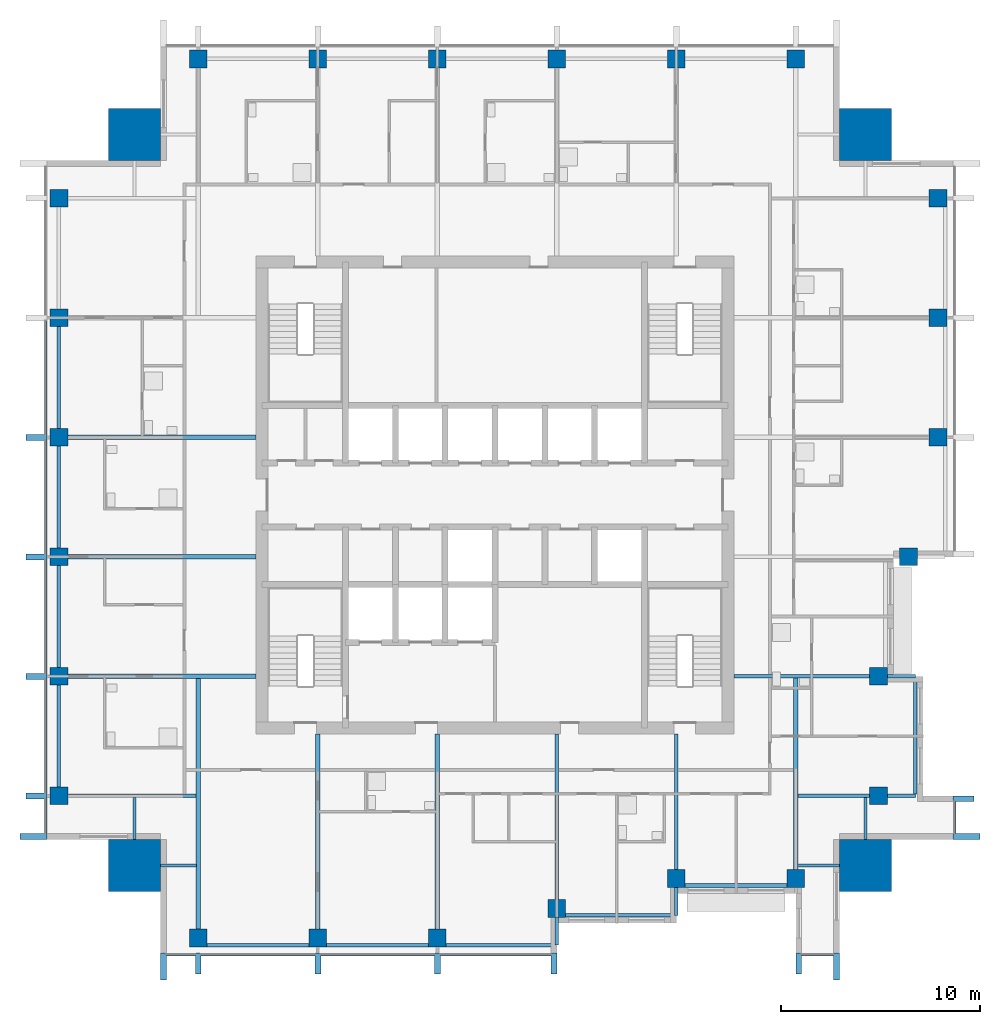
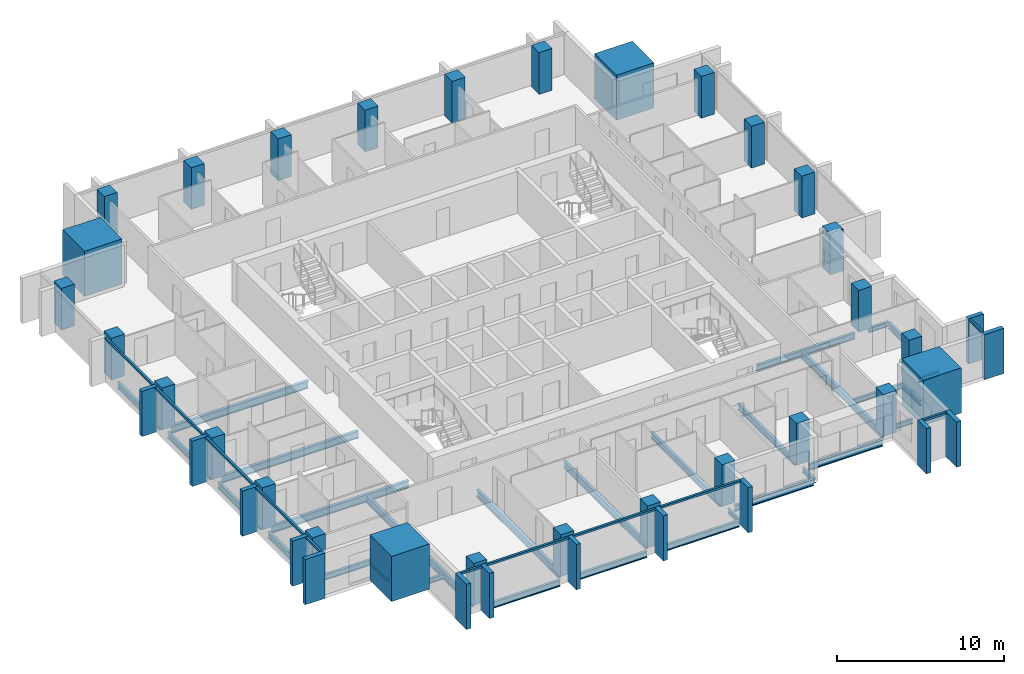
# One storey, part 1 of 10: 30 beams, 28 columns, 25 members, 4 elements without a shape of their own.
"""IFC4 building model written with IfcOpenShell, lengths in metres."""

from ifc_helpers import new_model, si_unit, direction, frame, origin, origin_2d, place, context, subcontext, project, spatial, rectangle, i_section, extrude, material, material_profile, profile_set, type_object, element, aggregate, save


model = new_model("IFC4")

# Units and contexts
model_context = context("Model", 3, precision=1e-05, world=origin(), true_north=direction((0.0, 1.0)))
body_context = subcontext(model_context, "Body", "Model", "MODEL_VIEW")
ifc_project = project(units=[si_unit("LENGTHUNIT", "METRE"), si_unit("AREAUNIT", "SQUARE_METRE"), si_unit("VOLUMEUNIT", "CUBIC_METRE"), si_unit("PLANEANGLEUNIT", "RADIAN"), si_unit("MASSUNIT", "GRAM", prefix="KILO")], contexts=[model_context])

# Site, building, storey
site_placement = place(None, origin())
site = spatial("IfcSite", under=ifc_project, at=site_placement, CompositionType="ELEMENT")
building_placement = place(site_placement, origin())
building = spatial("IfcBuilding", under=site, at=building_placement, Name="Amberfall Residences", CompositionType="ELEMENT")
storey_placement = place(building_placement, frame((0.0, 0.0, 200.199951171875)))
storey = spatial("IfcBuildingStorey", under=building, at=storey_placement, Name="L53", CompositionType="ELEMENT", Elevation=200.199951171875)

# Columns
ifc_material_1 = material(Name="Concrete C55", Category="concrete")
ifc_material_profile_1 = material_profile(ifc_material_1, rectangle(XDim=0.89990234375, YDim=0.89990234375, at=origin_2d()), Name="Column 900 x 900 C55")
ifc_profile_set_1 = profile_set([ifc_material_profile_1], Name="Concrete C55")
column_type_1 = type_object("IfcColumnType", Name="Column 900 x 900 C55", PredefinedType="COLUMN", material=ifc_profile_set_1)
for number, where, z_axis, x_axis, name in (
    (1, (59.60009765625, 23.25, 0.0), (0.0, 0.0, 1.0), (1.0, 0.0, 0.0), "Column C4 L53 S1"),
    (2, (65.60009765625, 23.25, 0.0), (0.0, 0.0, 1.0), (1.0, 0.0, 0.0), "Column C4 L53 S2"),
    (3, (71.60009765625, 23.25, 0.0), (0.0, 0.0, 1.0), (1.0, 0.0, 0.0), "Column C4 L53 S3"),
    (4, (77.60009765625, 24.75, 0.0), (0.0, 0.0, 1.0), (1.0, 0.0, 0.0), "Column C4 L53 S4"),
    (5, (83.60009765625, 26.25, 0.0), (0.0, 0.0, 1.0), (1.0, 0.0, 0.0), "Column C4 L53 S5"),
    (6, (89.60009765625, 26.25, 0.0), (0.0, 0.0, 1.0), (1.0, 0.0, 0.0), "Column C4 L53 S6"),
    (7, (93.75, 30.39990234375, 0.0), (0.0, 0.0, 1.0), (1.0, 0.0, 0.0), "Column C4 L53 E1"),
    (8, (93.75, 36.39990234375, 0.0), (0.0, 0.0, 1.0), (1.0, 0.0, 0.0), "Column C4 L53 E2"),
    (9, (95.25, 42.39990234375, 0.0), (0.0, 0.0, 1.0), (1.0, 0.0, 0.0), "Column C4 L53 E3"),
    (10, (96.75, 48.39990234375, 0.0), (0.0, 0.0, 1.0), (1.0, 0.0, 0.0), "Column C4 L53 E4"),
    (11, (96.75, 54.39990234375, 0.0), (0.0, 0.0, 1.0), (1.0, 0.0, 0.0), "Column C4 L53 E5"),
    (12, (96.75, 60.39990234375, 0.0), (0.0, 0.0, 1.0), (1.0, 0.0, 0.0), "Column C4 L53 E6"),
    (13, (59.60009765625, 67.39990234375, 0.0), (0.0, 0.0, 1.0), (1.0, 0.0, 0.0), "Column C4 L53 N1"),
    (14, (65.60009765625, 67.39990234375, 0.0), (0.0, 0.0, 1.0), (1.0, 0.0, 0.0), "Column C4 L53 N2"),
    (15, (71.60009765625, 67.39990234375, 0.0), (0.0, 0.0, 1.0), (1.0, 0.0, 0.0), "Column C4 L53 N3"),
    (16, (77.60009765625, 67.39990234375, 0.0), (0.0, 0.0, 1.0), (1.0, 0.0, 0.0), "Column C4 L53 N4"),
    (17, (83.60009765625, 67.39990234375, 0.0), (0.0, 0.0, 1.0), (1.0, 0.0, 0.0), "Column C4 L53 N5"),
    (18, (89.60009765625, 67.39990234375, 0.0), (0.0, 0.0, 1.0), (1.0, 0.0, 0.0), "Column C4 L53 N6"),
    (19, (52.60009765625, 30.39990234375, 0.0), (0.0, 0.0, 1.0), (1.0, 0.0, 0.0), "Column C4 L53 W1"),
    (20, (52.60009765625, 36.39990234375, 0.0), (0.0, 0.0, 1.0), (1.0, 0.0, 0.0), "Column C4 L53 W2"),
    (21, (52.60009765625, 42.39990234375, 0.0), (0.0, 0.0, 1.0), (1.0, 0.0, 0.0), "Column C4 L53 W3"),
    (22, (52.60009765625, 48.39990234375, 0.0), (0.0, 0.0, 1.0), (1.0, 0.0, 0.0), "Column C4 L53 W4"),
    (23, (52.60009765625, 54.39990234375, 0.0), (0.0, 0.0, 1.0), (1.0, 0.0, 0.0), "Column C4 L53 W5"),
    (24, (52.60009765625, 60.39990234375, 0.0), (0.0, 0.0, 1.0), (1.0, 0.0, 0.0), "Column C4 L53 W6"),
):
    element("IfcColumn", number, at=place(storey_placement, frame(where, z_axis=z_axis, x_axis=x_axis)), inside=storey, type_object=column_type_1, Name=name, PredefinedType="COLUMN", context=body_context, shape_type="SweptSolid", body=[
        extrude(rectangle(XDim=0.89990234375, YDim=0.89990234375, at=origin_2d()), origin(), (0.0, 0.0, 1.0), 3.050048828125),
    ])
ifc_material_profile_2 = material_profile(ifc_material_1, rectangle(XDim=2.60009765625, YDim=2.60009765625, at=origin_2d()), Name="Mega column 2600 x 2600 C55")
ifc_profile_set_2 = profile_set([ifc_material_profile_2], Name="Concrete C55")
column_type_2 = type_object("IfcColumnType", Name="Mega column 2600 x 2600 C55", PredefinedType="COLUMN", material=ifc_profile_set_2)
for number, where, z_axis, x_axis, name in (
    (25, (56.39990234375, 26.89990234375, 0.0), (0.0, 0.0, 1.0), (1.0, 0.0, 0.0), "Mega column MC8 L53 SW"),
    (26, (93.10009765625, 26.89990234375, 0.0), (0.0, 0.0, 1.0), (1.0, 0.0, 0.0), "Mega column MC8 L53 SE"),
    (27, (93.10009765625, 63.60009765625, 0.0), (0.0, 0.0, 1.0), (1.0, 0.0, 0.0), "Mega column MC8 L53 NE"),
    (28, (56.39990234375, 63.60009765625, 0.0), (0.0, 0.0, 1.0), (1.0, 0.0, 0.0), "Mega column MC8 L53 NW"),
):
    element("IfcColumn", number, at=place(storey_placement, frame(where, z_axis=z_axis, x_axis=x_axis)), inside=storey, type_object=column_type_2, Name=name, PredefinedType="COLUMN", context=body_context, shape_type="SweptSolid", body=[
        extrude(rectangle(XDim=2.60009765625, YDim=2.60009765625, at=origin_2d()), origin(), (0.0, 0.0, 1.0), 3.300048828125),
    ])

# Curtain wall, members
ifc_material_2 = material(Name="Bronze anodised aluminium and glass", Category="aluminium")
curtain_wall_type = type_object("IfcCurtainWallType", Name="Curtain wall CW1 tower unit", PredefinedType="USERDEFINED", material=ifc_material_2)
curtain_wall_1_placement = place(storey_placement, origin())
curtain_wall_1 = element("IfcCurtainWall", 29, at=curtain_wall_1_placement, inside=storey, type_object=curtain_wall_type, Name="Curtain wall L53 S S1", ObjectType="UNITISED CURTAIN WALL", PredefinedType="USERDEFINED")
ifc_material_3 = material(Name="Bronze anodised aluminium", Category="aluminium")
ifc_material_profile_3 = material_profile(ifc_material_3, rectangle(XDim=0.14990234375, YDim=0.14990234375, at=origin_2d()), Name="CW1 transom 150 x 150 bronze")
ifc_profile_set_3 = profile_set([ifc_material_profile_3], Name="Bronze anodised aluminium")
member_type_1 = type_object("IfcMemberType", Name="CW1 transom 150 x 150 bronze", PredefinedType="USERDEFINED", material=ifc_profile_set_3)
member_1_placement = place(storey_placement, frame((58.0, 22.425048828125, 2.97509765625), z_axis=(1.0, 0.0, 0.0), x_axis=(0.0, 1.0, 0.0)))
member_1 = element("IfcMember", 30, at=member_1_placement, type_object=member_type_1, Name="CW1 transom 1.1", ObjectType="TRANSOM", PredefinedType="USERDEFINED", context=body_context, shape_type="SweptSolid", body=[
    extrude(rectangle(XDim=0.14990234375, YDim=0.14990234375, at=origin_2d()), origin(), (0.0, 0.0, 1.0), 1.449951171875),
])
member_2_placement = place(storey_placement, frame((59.75, 22.425048828125, 2.97509765625), z_axis=(1.0, 0.0, 0.0), x_axis=(0.0, 1.0, 0.0)))
member_2 = element("IfcMember", 31, at=member_2_placement, type_object=member_type_1, Name="CW1 transom 2.1", ObjectType="TRANSOM", PredefinedType="USERDEFINED", context=body_context, shape_type="SweptSolid", body=[
    extrude(rectangle(XDim=0.14990234375, YDim=0.14990234375, at=origin_2d()), origin(), (0.0, 0.0, 1.0), 5.699951171875),
])
member_3_placement = place(storey_placement, frame((65.75, 22.425048828125, 2.97509765625), z_axis=(1.0, 0.0, 0.0), x_axis=(0.0, 1.0, 0.0)))
member_3 = element("IfcMember", 32, at=member_3_placement, type_object=member_type_1, Name="CW1 transom 3.1", ObjectType="TRANSOM", PredefinedType="USERDEFINED", context=body_context, shape_type="SweptSolid", body=[
    extrude(rectangle(XDim=0.14990234375, YDim=0.14990234375, at=origin_2d()), origin(), (0.0, 0.0, 1.0), 5.699951171875),
])
member_4_placement = place(storey_placement, frame((71.75, 22.425048828125, 2.97509765625), z_axis=(1.0, 0.0, 0.0), x_axis=(0.0, 1.0, 0.0)))
member_4 = element("IfcMember", 33, at=member_4_placement, type_object=member_type_1, Name="CW1 transom 4.1", ObjectType="TRANSOM", PredefinedType="USERDEFINED", context=body_context, shape_type="SweptSolid", body=[
    extrude(rectangle(XDim=0.14990234375, YDim=0.14990234375, at=origin_2d()), origin(), (0.0, 0.0, 1.0), 5.550048828125),
])

# Curtain wall, member
curtain_wall_2_placement = place(storey_placement, origin())
curtain_wall_2 = element("IfcCurtainWall", 34, at=curtain_wall_2_placement, inside=storey, type_object=curtain_wall_type, Name="Curtain wall L53 S S7", ObjectType="UNITISED CURTAIN WALL", PredefinedType="USERDEFINED")
member_5_placement = place(storey_placement, frame((89.89990234375, 22.425048828125, 2.97509765625), z_axis=(1.0, 0.0, 0.0), x_axis=(0.0, 1.0, 0.0)))
member_5 = element("IfcMember", 35, at=member_5_placement, type_object=member_type_1, Name="CW1 transom 1.1", ObjectType="TRANSOM", PredefinedType="USERDEFINED", context=body_context, shape_type="SweptSolid", body=[
    extrude(rectangle(XDim=0.14990234375, YDim=0.14990234375, at=origin_2d()), origin(), (0.0, 0.0, 1.0), 1.60009765625),
])

curtain_wall_3_placement = place(storey_placement, origin())
curtain_wall_3 = element("IfcCurtainWall", 36, at=curtain_wall_3_placement, inside=storey, type_object=curtain_wall_type, Name="Curtain wall L53 E E1", ObjectType="UNITISED CURTAIN WALL", PredefinedType="USERDEFINED")
member_6_placement = place(storey_placement, frame((97.574951171875, 28.5, 2.97509765625), z_axis=(0.0, 1.0, 0.0), x_axis=(-1.0, 0.0, 0.0)))
member_6 = element("IfcMember", 37, at=member_6_placement, type_object=member_type_1, Name="CW1 transom 1.1", ObjectType="TRANSOM", PredefinedType="USERDEFINED", context=body_context, shape_type="SweptSolid", body=[
    extrude(rectangle(XDim=0.14990234375, YDim=0.14990234375, at=origin_2d()), origin(), (0.0, 0.0, 1.0), 1.60009765625),
])

# Curtain wall, members
curtain_wall_4_placement = place(storey_placement, origin())
curtain_wall_4 = element("IfcCurtainWall", 38, at=curtain_wall_4_placement, inside=storey, type_object=curtain_wall_type, Name="Curtain wall L53 W W1", ObjectType="UNITISED CURTAIN WALL", PredefinedType="USERDEFINED")
member_7_placement = place(storey_placement, frame((51.925048828125, 54.25, 2.97509765625), z_axis=(0.0, -1.0, 0.0), x_axis=(1.0, 0.0, 0.0)))
member_7 = element("IfcMember", 39, at=member_7_placement, type_object=member_type_1, Name="CW1 transom 3.1", ObjectType="TRANSOM", PredefinedType="USERDEFINED", context=body_context, shape_type="SweptSolid", body=[
    extrude(rectangle(XDim=0.14990234375, YDim=0.14990234375, at=origin_2d()), origin(), (0.0, 0.0, 1.0), 5.699951171875),
])
member_8_placement = place(storey_placement, frame((51.925048828125, 48.25, 2.97509765625), z_axis=(0.0, -1.0, 0.0), x_axis=(1.0, 0.0, 0.0)))
member_8 = element("IfcMember", 40, at=member_8_placement, type_object=member_type_1, Name="CW1 transom 4.1", ObjectType="TRANSOM", PredefinedType="USERDEFINED", context=body_context, shape_type="SweptSolid", body=[
    extrude(rectangle(XDim=0.14990234375, YDim=0.14990234375, at=origin_2d()), origin(), (0.0, 0.0, 1.0), 5.699951171875),
])
member_9_placement = place(storey_placement, frame((51.925048828125, 42.25, 2.97509765625), z_axis=(0.0, -1.0, 0.0), x_axis=(1.0, 0.0, 0.0)))
member_9 = element("IfcMember", 41, at=member_9_placement, type_object=member_type_1, Name="CW1 transom 5.1", ObjectType="TRANSOM", PredefinedType="USERDEFINED", context=body_context, shape_type="SweptSolid", body=[
    extrude(rectangle(XDim=0.14990234375, YDim=0.14990234375, at=origin_2d()), origin(), (0.0, 0.0, 1.0), 5.699951171875),
])
member_10_placement = place(storey_placement, frame((51.925048828125, 36.25, 2.97509765625), z_axis=(0.0, -1.0, 0.0), x_axis=(1.0, 0.0, 0.0)))
member_10 = element("IfcMember", 42, at=member_10_placement, type_object=member_type_1, Name="CW1 transom 6.1", ObjectType="TRANSOM", PredefinedType="USERDEFINED", context=body_context, shape_type="SweptSolid", body=[
    extrude(rectangle(XDim=0.14990234375, YDim=0.14990234375, at=origin_2d()), origin(), (0.0, 0.0, 1.0), 5.699951171875),
])
member_11_placement = place(storey_placement, frame((51.925048828125, 30.25, 2.97509765625), z_axis=(0.0, -1.0, 0.0), x_axis=(1.0, 0.0, 0.0)))
member_11 = element("IfcMember", 43, at=member_11_placement, type_object=member_type_1, Name="CW1 transom 7.1", ObjectType="TRANSOM", PredefinedType="USERDEFINED", context=body_context, shape_type="SweptSolid", body=[
    extrude(rectangle(XDim=0.14990234375, YDim=0.14990234375, at=origin_2d()), origin(), (0.0, 0.0, 1.0), 1.75),
])

# Beams
ifc_material_4 = material(Name="Steel S355", Category="steel")
ifc_material_profile_4 = material_profile(ifc_material_4, i_section(OverallWidth=0.171142578125, OverallDepth=0.351318359375, WebThickness=0.007080078125, FlangeThickness=0.009765625, FilletRadius=0.01025390625, at=origin_2d()), Name="UB 356x171x45")
ifc_profile_set_4 = profile_set([ifc_material_profile_4], Name="Steel S355")
beam_type_1 = type_object("IfcBeamType", Name="Cantilever girder UB 356x171x45", PredefinedType="BEAM", material=ifc_profile_set_4)
for number, where, z_axis, x_axis, name in (
    (44, (77.60009765625, 24.300048828125, -0.425537109375), (0.0, -1.0, 0.0), (1.0, 0.0, 0.0), "Cantilever girder B8 L53 06"),
    (45, (83.60009765625, 25.800048828125, -0.425537109375), (0.0, -1.0, 0.0), (1.0, 0.0, 0.0), "Cantilever girder B8 L53 07"),
    (46, (94.199951171875, 30.39990234375, -0.425537109375), (1.0, 0.0, 0.0), (0.0, 1.0, 0.0), "Cantilever girder B8 L53 19"),
    (47, (94.199951171875, 36.39990234375, -0.425537109375), (1.0, 0.0, 0.0), (0.0, 1.0, 0.0), "Cantilever girder B8 L53 20"),
):
    element("IfcBeam", number, at=place(storey_placement, frame(where, z_axis=z_axis, x_axis=x_axis)), inside=storey, type_object=beam_type_1, Name=name, PredefinedType="BEAM", context=body_context, shape_type="SweptSolid", body=[
        extrude(i_section(OverallWidth=0.171142578125, OverallDepth=0.351318359375, WebThickness=0.007080078125, FlangeThickness=0.009765625, FilletRadius=0.01025390625, at=origin_2d()), origin(), (0.0, 0.0, 1.0), 1.400146484375),
    ])

# Member
ifc_material_profile_5 = material_profile(ifc_material_3, rectangle(XDim=1.35009765625, YDim=0.300048828125, at=origin_2d()), Name="Corner fin 300 x 1350 bronze")
ifc_profile_set_5 = profile_set([ifc_material_profile_5], Name="Bronze anodised aluminium")
member_type_2 = type_object("IfcMemberType", Name="Corner fin 300 x 1350 bronze", PredefinedType="MULLION", material=ifc_profile_set_5)
member_12_placement = place(storey_placement, frame((57.85009765625, 21.824951171875, -0.25), z_axis=(0.0, 0.0, 1.0), x_axis=(0.0, 1.0, 0.0)))
member_12 = element("IfcMember", 48, at=member_12_placement, type_object=member_type_2, Name="CW FIN 1", PredefinedType="MULLION", context=body_context, shape_type="SweptSolid", body=[
    extrude(rectangle(XDim=1.35009765625, YDim=0.300048828125, at=origin_2d()), origin(), (0.0, 0.0, 1.0), 3.300048828125),
])

member_13_placement = place(storey_placement, frame((91.64990234375, 21.824951171875, -0.25), z_axis=(0.0, 0.0, 1.0), x_axis=(0.0, 1.0, 0.0)))
member_13 = element("IfcMember", 49, at=member_13_placement, type_object=member_type_2, Name="CW FIN 2", PredefinedType="MULLION", context=body_context, shape_type="SweptSolid", body=[
    extrude(rectangle(XDim=1.35009765625, YDim=0.300048828125, at=origin_2d()), origin(), (0.0, 0.0, 1.0), 3.300048828125),
])

member_14_placement = place(storey_placement, frame((98.175048828125, 28.35009765625, -0.25), z_axis=(0.0, 0.0, 1.0), x_axis=(-1.0, 0.0, 0.0)))
member_14 = element("IfcMember", 50, at=member_14_placement, type_object=member_type_2, Name="CW FIN 1", PredefinedType="MULLION", context=body_context, shape_type="SweptSolid", body=[
    extrude(rectangle(XDim=1.35009765625, YDim=0.300048828125, at=origin_2d()), origin(), (0.0, 0.0, 1.0), 3.300048828125),
])

member_15_placement = place(storey_placement, frame((51.324951171875, 28.35009765625, -0.25), z_axis=(0.0, 0.0, 1.0), x_axis=(1.0, 0.0, 0.0)))
member_15 = element("IfcMember", 51, at=member_15_placement, type_object=member_type_2, Name="CW FIN 8", PredefinedType="MULLION", context=body_context, shape_type="SweptSolid", body=[
    extrude(rectangle(XDim=1.35009765625, YDim=0.300048828125, at=origin_2d()), origin(), (0.0, 0.0, 1.0), 3.300048828125),
])

# Beams
ifc_material_profile_6 = material_profile(ifc_material_4, i_section(OverallWidth=0.18994140625, OverallDepth=0.453369140625, WebThickness=0.008544921875, FlangeThickness=0.0126953125, FilletRadius=0.01025390625, at=origin_2d()), Name="UB 457x191x67")
ifc_profile_set_6 = profile_set([ifc_material_profile_6], Name="Steel S355")
beam_type_2 = type_object("IfcBeamType", Name="Edge beam UB 457x191x67", PredefinedType="SPANDREL", material=ifc_profile_set_6)
for number, where, z_axis, x_axis, name in (
    (52, (60.050048828125, 22.89990234375, -0.4765625), (1.0, 0.0, 0.0), (0.0, 1.0, 0.0), "Edge beam B1 L53 01"),
    (53, (66.050048828125, 22.89990234375, -0.4765625), (1.0, 0.0, 0.0), (0.0, 1.0, 0.0), "Edge beam B1 L53 02"),
):
    element("IfcBeam", number, at=place(storey_placement, frame(where, z_axis=z_axis, x_axis=x_axis)), inside=storey, type_object=beam_type_2, Name=name, PredefinedType="SPANDREL", context=body_context, shape_type="SweptSolid", body=[
        extrude(i_section(OverallWidth=0.18994140625, OverallDepth=0.453369140625, WebThickness=0.008544921875, FlangeThickness=0.0126953125, FilletRadius=0.01025390625, at=origin_2d()), origin(), (0.0, 0.0, 1.0), 5.099853515625),
    ])
for number, where, z_axis, x_axis, name in (
    (54, (72.050048828125, 22.89990234375, -0.4765625), (1.0, 0.0, 0.0), (0.0, 1.0, 0.0), "Edge beam B1 L53 03"),
    (55, (78.050048828125, 24.39990234375, -0.4765625), (1.0, 0.0, 0.0), (0.0, 1.0, 0.0), "Edge beam B1 L53 04"),
):
    element("IfcBeam", number, at=place(storey_placement, frame(where, z_axis=z_axis, x_axis=x_axis)), inside=storey, type_object=beam_type_2, Name=name, PredefinedType="SPANDREL", context=body_context, shape_type="SweptSolid", body=[
        extrude(i_section(OverallWidth=0.18994140625, OverallDepth=0.453369140625, WebThickness=0.008544921875, FlangeThickness=0.0126953125, FilletRadius=0.01025390625, at=origin_2d()), origin(), (0.0, 0.0, 1.0), 5.469970703125),
    ])
beam_1_placement = place(storey_placement, frame((84.050048828125, 25.89990234375, -0.4765625), z_axis=(1.0, 0.0, 0.0), x_axis=(0.0, 1.0, 0.0)))
element("IfcBeam", 56, at=beam_1_placement, inside=storey, type_object=beam_type_2, Name="Edge beam B1 L53 05", PredefinedType="SPANDREL", context=body_context, shape_type="SweptSolid", body=[
    extrude(i_section(OverallWidth=0.18994140625, OverallDepth=0.453369140625, WebThickness=0.008544921875, FlangeThickness=0.0126953125, FilletRadius=0.01025390625, at=origin_2d()), origin(), (0.0, 0.0, 1.0), 5.099853515625),
])
beam_2_placement = place(storey_placement, frame((95.60009765625, 30.47998046875, -0.4765625), z_axis=(0.0, 1.0, 0.0), x_axis=(-1.0, 0.0, 0.0)))
element("IfcBeam", 57, at=beam_2_placement, inside=storey, type_object=beam_type_2, Name="Edge beam B1 L53 14", PredefinedType="SPANDREL", context=body_context, shape_type="SweptSolid", body=[
    extrude(i_section(OverallWidth=0.18994140625, OverallDepth=0.453369140625, WebThickness=0.008544921875, FlangeThickness=0.0126953125, FilletRadius=0.01025390625, at=origin_2d()), origin(), (0.0, 0.0, 1.0), 5.840087890625),
])
for number, where, z_axis, x_axis, name in (
    (58, (52.60009765625, 30.85009765625, -0.4765625), (0.0, 1.0, 0.0), (-1.0, 0.0, 0.0), "Edge beam B1 L53 39"),
    (59, (52.60009765625, 36.85009765625, -0.4765625), (0.0, 1.0, 0.0), (-1.0, 0.0, 0.0), "Edge beam B1 L53 40"),
    (60, (52.60009765625, 42.85009765625, -0.4765625), (0.0, 1.0, 0.0), (-1.0, 0.0, 0.0), "Edge beam B1 L53 41"),
    (61, (52.60009765625, 48.85009765625, -0.4765625), (0.0, 1.0, 0.0), (-1.0, 0.0, 0.0), "Edge beam B1 L53 42"),
):
    element("IfcBeam", number, at=place(storey_placement, frame(where, z_axis=z_axis, x_axis=x_axis)), inside=storey, type_object=beam_type_2, Name=name, PredefinedType="SPANDREL", context=body_context, shape_type="SweptSolid", body=[
        extrude(i_section(OverallWidth=0.18994140625, OverallDepth=0.453369140625, WebThickness=0.008544921875, FlangeThickness=0.0126953125, FilletRadius=0.01025390625, at=origin_2d()), origin(), (0.0, 0.0, 1.0), 5.099853515625),
    ])

# Member
ifc_material_profile_7 = material_profile(ifc_material_3, rectangle(XDim=1.050048828125, YDim=0.300048828125, at=origin_2d()), Name="Fin 300 x 1050 bronze")
ifc_profile_set_7 = profile_set([ifc_material_profile_7], Name="Bronze anodised aluminium")
member_type_3 = type_object("IfcMemberType", Name="Fin 300 x 1050 bronze", PredefinedType="MULLION", material=ifc_profile_set_7)
member_16_placement = place(storey_placement, frame((59.60009765625, 21.97509765625, -0.25), z_axis=(0.0, 0.0, 1.0), x_axis=(0.0, 1.0, 0.0)))
member_16 = element("IfcMember", 62, at=member_16_placement, type_object=member_type_3, Name="CW FIN 2", PredefinedType="MULLION", context=body_context, shape_type="SweptSolid", body=[
    extrude(rectangle(XDim=1.050048828125, YDim=0.300048828125, at=origin_2d()), origin(), (0.0, 0.0, 1.0), 3.300048828125),
])

member_17_placement = place(storey_placement, frame((65.60009765625, 21.97509765625, -0.25), z_axis=(0.0, 0.0, 1.0), x_axis=(0.0, 1.0, 0.0)))
member_17 = element("IfcMember", 63, at=member_17_placement, type_object=member_type_3, Name="CW FIN 3", PredefinedType="MULLION", context=body_context, shape_type="SweptSolid", body=[
    extrude(rectangle(XDim=1.050048828125, YDim=0.300048828125, at=origin_2d()), origin(), (0.0, 0.0, 1.0), 3.300048828125),
])

member_18_placement = place(storey_placement, frame((71.60009765625, 21.97509765625, -0.25), z_axis=(0.0, 0.0, 1.0), x_axis=(0.0, 1.0, 0.0)))
member_18 = element("IfcMember", 64, at=member_18_placement, type_object=member_type_3, Name="CW FIN 4", PredefinedType="MULLION", context=body_context, shape_type="SweptSolid", body=[
    extrude(rectangle(XDim=1.050048828125, YDim=0.300048828125, at=origin_2d()), origin(), (0.0, 0.0, 1.0), 3.300048828125),
])

member_19_placement = place(storey_placement, frame((77.449951171875, 21.97509765625, -0.25), z_axis=(0.0, 0.0, 1.0), x_axis=(0.0, 1.0, 0.0)))
member_19 = element("IfcMember", 65, at=member_19_placement, type_object=member_type_3, Name="CW FIN 5", PredefinedType="MULLION", context=body_context, shape_type="SweptSolid", body=[
    extrude(rectangle(XDim=1.050048828125, YDim=0.300048828125, at=origin_2d()), origin(), (0.0, 0.0, 1.0), 3.300048828125),
])

aggregate(curtain_wall_1, [member_12, member_16, member_17, member_18, member_19, member_1, member_2, member_3, member_4])

member_20_placement = place(storey_placement, frame((89.75, 21.97509765625, -0.25), z_axis=(0.0, 0.0, 1.0), x_axis=(0.0, 1.0, 0.0)))
member_20 = element("IfcMember", 66, at=member_20_placement, type_object=member_type_3, Name="CW FIN 1", PredefinedType="MULLION", context=body_context, shape_type="SweptSolid", body=[
    extrude(rectangle(XDim=1.050048828125, YDim=0.300048828125, at=origin_2d()), origin(), (0.0, 0.0, 1.0), 3.300048828125),
])

aggregate(curtain_wall_2, [member_20, member_13, member_5])

member_21_placement = place(storey_placement, frame((98.02490234375, 30.25, -0.25), z_axis=(0.0, 0.0, 1.0), x_axis=(-1.0, 0.0, 0.0)))
member_21 = element("IfcMember", 67, at=member_21_placement, type_object=member_type_3, Name="CW FIN 2", PredefinedType="MULLION", context=body_context, shape_type="SweptSolid", body=[
    extrude(rectangle(XDim=1.050048828125, YDim=0.300048828125, at=origin_2d()), origin(), (0.0, 0.0, 1.0), 3.300048828125),
])

aggregate(curtain_wall_3, [member_14, member_21, member_6])

member_22_placement = place(storey_placement, frame((51.47509765625, 48.39990234375, -0.25), z_axis=(0.0, 0.0, 1.0), x_axis=(1.0, 0.0, 0.0)))
member_22 = element("IfcMember", 68, at=member_22_placement, type_object=member_type_3, Name="CW FIN 4", PredefinedType="MULLION", context=body_context, shape_type="SweptSolid", body=[
    extrude(rectangle(XDim=1.050048828125, YDim=0.300048828125, at=origin_2d()), origin(), (0.0, 0.0, 1.0), 3.300048828125),
])

member_23_placement = place(storey_placement, frame((51.47509765625, 42.39990234375, -0.25), z_axis=(0.0, 0.0, 1.0), x_axis=(1.0, 0.0, 0.0)))
member_23 = element("IfcMember", 69, at=member_23_placement, type_object=member_type_3, Name="CW FIN 5", PredefinedType="MULLION", context=body_context, shape_type="SweptSolid", body=[
    extrude(rectangle(XDim=1.050048828125, YDim=0.300048828125, at=origin_2d()), origin(), (0.0, 0.0, 1.0), 3.300048828125),
])

member_24_placement = place(storey_placement, frame((51.47509765625, 36.39990234375, -0.25), z_axis=(0.0, 0.0, 1.0), x_axis=(1.0, 0.0, 0.0)))
member_24 = element("IfcMember", 70, at=member_24_placement, type_object=member_type_3, Name="CW FIN 6", PredefinedType="MULLION", context=body_context, shape_type="SweptSolid", body=[
    extrude(rectangle(XDim=1.050048828125, YDim=0.300048828125, at=origin_2d()), origin(), (0.0, 0.0, 1.0), 3.300048828125),
])

member_25_placement = place(storey_placement, frame((51.47509765625, 30.39990234375, -0.25), z_axis=(0.0, 0.0, 1.0), x_axis=(1.0, 0.0, 0.0)))
member_25 = element("IfcMember", 71, at=member_25_placement, type_object=member_type_3, Name="CW FIN 7", PredefinedType="MULLION", context=body_context, shape_type="SweptSolid", body=[
    extrude(rectangle(XDim=1.050048828125, YDim=0.300048828125, at=origin_2d()), origin(), (0.0, 0.0, 1.0), 3.300048828125),
])

aggregate(curtain_wall_4, [member_22, member_23, member_24, member_25, member_15, member_7, member_8, member_9, member_10, member_11])

# Beams
ifc_material_profile_8 = material_profile(ifc_material_4, i_section(OverallWidth=0.171142578125, OverallDepth=0.351318359375, WebThickness=0.007080078125, FlangeThickness=0.009765625, FilletRadius=0.01025390625, at=origin_2d()), Name="UB 356x171x45")
ifc_profile_set_8 = profile_set([ifc_material_profile_8], Name="Steel S355")
beam_type_3 = type_object("IfcBeamType", Name="Floor girder UB 356x171x45", PredefinedType="BEAM", material=ifc_profile_set_8)
beam_3_placement = place(storey_placement, frame((93.300048828125, 30.39990234375, -0.425537109375), z_axis=(-1.0, 0.0, 0.0), x_axis=(0.0, -1.0, 0.0)))
element("IfcBeam", 72, at=beam_3_placement, inside=storey, type_object=beam_type_3, Name="Floor girder B11 L53 22", PredefinedType="BEAM", context=body_context, shape_type="SweptSolid", body=[
    extrude(i_section(OverallWidth=0.171142578125, OverallDepth=0.351318359375, WebThickness=0.007080078125, FlangeThickness=0.009765625, FilletRadius=0.01025390625, at=origin_2d()), origin(), (0.0, 0.0, 1.0), 3.580078125),
])
ifc_material_profile_9 = material_profile(ifc_material_4, i_section(OverallWidth=0.177734375, OverallDepth=0.402587890625, WebThickness=0.0078125, FlangeThickness=0.010986328125, FilletRadius=0.01025390625, at=origin_2d()), Name="UB 406x178x54")
ifc_profile_set_9 = profile_set([ifc_material_profile_9], Name="Steel S355")
beam_type_4 = type_object("IfcBeamType", Name="Floor girder UB 406x178x54", PredefinedType="BEAM", material=ifc_profile_set_9)
beam_4_placement = place(storey_placement, frame((53.050048828125, 30.39990234375, -0.451171875), z_axis=(1.0, 0.0, 0.0), x_axis=(0.0, 1.0, 0.0)))
element("IfcBeam", 73, at=beam_4_placement, inside=storey, type_object=beam_type_4, Name="Floor girder B4 L53 44", PredefinedType="BEAM", context=body_context, shape_type="SweptSolid", body=[
    extrude(i_section(OverallWidth=0.177734375, OverallDepth=0.402587890625, WebThickness=0.0078125, FlangeThickness=0.010986328125, FilletRadius=0.01025390625, at=origin_2d()), origin(), (0.0, 0.0, 1.0), 6.429931640625),
])
ifc_material_profile_10 = material_profile(ifc_material_4, i_section(OverallWidth=0.19140625, OverallDepth=0.4599609375, WebThickness=0.010009765625, FlangeThickness=0.01611328125, FilletRadius=0.01025390625, at=origin_2d()), Name="UB 457x191x82")
ifc_profile_set_10 = profile_set([ifc_material_profile_10], Name="Steel S355")
beam_type_5 = type_object("IfcBeamType", Name="Floor girder UB 457x191x82", PredefinedType="BEAM", material=ifc_profile_set_10)
beam_5_placement = place(storey_placement, frame((77.60009765625, 25.199951171875, -0.47998046875), z_axis=(0.0, 1.0, 0.0), x_axis=(-1.0, 0.0, 0.0)))
element("IfcBeam", 74, at=beam_5_placement, inside=storey, type_object=beam_type_5, Name="Floor girder B10 L53 11", PredefinedType="BEAM", context=body_context, shape_type="SweptSolid", body=[
    extrude(i_section(OverallWidth=0.19140625, OverallDepth=0.4599609375, WebThickness=0.010009765625, FlangeThickness=0.01611328125, FilletRadius=0.01025390625, at=origin_2d()), origin(), (0.0, 0.0, 1.0), 8.300048828125),
])
for number, where, z_axis, x_axis, name in (
    (75, (83.60009765625, 26.699951171875, -0.47998046875), (0.0, 1.0, 0.0), (-1.0, 0.0, 0.0), "Floor girder B10 L53 12"),
    (76, (93.300048828125, 36.39990234375, -0.47998046875), (-1.0, 0.0, 0.0), (0.0, -1.0, 0.0), "Floor girder B10 L53 23"),
):
    element("IfcBeam", number, at=place(storey_placement, frame(where, z_axis=z_axis, x_axis=x_axis)), inside=storey, type_object=beam_type_5, Name=name, PredefinedType="BEAM", context=body_context, shape_type="SweptSolid", body=[
        extrude(i_section(OverallWidth=0.19140625, OverallDepth=0.4599609375, WebThickness=0.010009765625, FlangeThickness=0.01611328125, FilletRadius=0.01025390625, at=origin_2d()), origin(), (0.0, 0.0, 1.0), 6.800048828125),
    ])
ifc_material_profile_11 = material_profile(ifc_material_4, i_section(OverallWidth=0.210693359375, OverallDepth=0.53955078125, WebThickness=0.01171875, FlangeThickness=0.018798828125, FilletRadius=0.0126953125, at=origin_2d()), Name="UB 533x210x109")
ifc_profile_set_11 = profile_set([ifc_material_profile_11], Name="Steel S355")
beam_type_6 = type_object("IfcBeamType", Name="Floor girder UB 533x210x109", PredefinedType="BEAM", material=ifc_profile_set_11)
beam_6_placement = place(storey_placement, frame((59.60009765625, 23.699951171875, -0.519775390625), z_axis=(0.0, 1.0, 0.0), x_axis=(-1.0, 0.0, 0.0)))
element("IfcBeam", 77, at=beam_6_placement, inside=storey, type_object=beam_type_6, Name="Floor girder B2 L53 08", PredefinedType="BEAM", context=body_context, shape_type="SweptSolid", body=[
    extrude(i_section(OverallWidth=0.210693359375, OverallDepth=0.53955078125, WebThickness=0.01171875, FlangeThickness=0.018798828125, FilletRadius=0.0126953125, at=origin_2d()), origin(), (0.0, 0.0, 1.0), 12.600341796875),
])
ifc_material_profile_12 = material_profile(ifc_material_4, i_section(OverallWidth=0.209228515625, OverallDepth=0.533203125, WebThickness=0.010009765625, FlangeThickness=0.015625, FilletRadius=0.0126953125, at=origin_2d()), Name="UB 533x210x92")
ifc_profile_set_12 = profile_set([ifc_material_profile_12], Name="Steel S355")
beam_type_7 = type_object("IfcBeamType", Name="Floor girder UB 533x210x92", PredefinedType="BEAM", material=ifc_profile_set_12)
for number, where, z_axis, x_axis, name in (
    (78, (65.60009765625, 23.699951171875, -0.5166015625), (0.0, 1.0, 0.0), (-1.0, 0.0, 0.0), "Floor girder B3 L53 09"),
    (79, (71.60009765625, 23.699951171875, -0.5166015625), (0.0, 1.0, 0.0), (-1.0, 0.0, 0.0), "Floor girder B3 L53 10"),
):
    element("IfcBeam", number, at=place(storey_placement, frame(where, z_axis=z_axis, x_axis=x_axis)), inside=storey, type_object=beam_type_7, Name=name, PredefinedType="BEAM", context=body_context, shape_type="SweptSolid", body=[
        extrude(i_section(OverallWidth=0.209228515625, OverallDepth=0.533203125, WebThickness=0.010009765625, FlangeThickness=0.015625, FilletRadius=0.0126953125, at=origin_2d()), origin(), (0.0, 0.0, 1.0), 9.800048828125),
    ])
beam_7_placement = place(storey_placement, frame((89.60009765625, 26.699951171875, -0.5166015625), z_axis=(0.0, 1.0, 0.0), x_axis=(-1.0, 0.0, 0.0)))
element("IfcBeam", 80, at=beam_7_placement, inside=storey, type_object=beam_type_7, Name="Floor girder B3 L53 13", PredefinedType="BEAM", context=body_context, shape_type="SweptSolid", body=[
    extrude(i_section(OverallWidth=0.209228515625, OverallDepth=0.533203125, WebThickness=0.010009765625, FlangeThickness=0.015625, FilletRadius=0.0126953125, at=origin_2d()), origin(), (0.0, 0.0, 1.0), 9.609375),
])
for number, where, z_axis, x_axis, name in (
    (81, (53.050048828125, 36.39990234375, -0.5166015625), (1.0, 0.0, 0.0), (0.0, 1.0, 0.0), "Floor girder B3 L53 45"),
    (82, (53.050048828125, 42.39990234375, -0.5166015625), (1.0, 0.0, 0.0), (0.0, 1.0, 0.0), "Floor girder B3 L53 46"),
    (83, (53.050048828125, 48.39990234375, -0.5166015625), (1.0, 0.0, 0.0), (0.0, 1.0, 0.0), "Floor girder B3 L53 47"),
):
    element("IfcBeam", number, at=place(storey_placement, frame(where, z_axis=z_axis, x_axis=x_axis)), inside=storey, type_object=beam_type_7, Name=name, PredefinedType="BEAM", context=body_context, shape_type="SweptSolid", body=[
        extrude(i_section(OverallWidth=0.209228515625, OverallDepth=0.533203125, WebThickness=0.010009765625, FlangeThickness=0.015625, FilletRadius=0.0126953125, at=origin_2d()), origin(), (0.0, 0.0, 1.0), 9.449951171875),
    ])
ifc_material_profile_13 = material_profile(ifc_material_4, i_section(OverallWidth=0.171142578125, OverallDepth=0.351318359375, WebThickness=0.007080078125, FlangeThickness=0.009765625, FilletRadius=0.01025390625, at=origin_2d()), Name="UB 356x171x45")
ifc_profile_set_13 = profile_set([ifc_material_profile_13], Name="Steel S355")
beam_type_8 = type_object("IfcBeamType", Name="Link beam UB 356x171x45", PredefinedType="BEAM", material=ifc_profile_set_13)
beam_8_placement = place(storey_placement, frame((57.699951171875, 26.89990234375, -0.425537109375), z_axis=(1.0, 0.0, 0.0), x_axis=(0.0, 1.0, 0.0)))
element("IfcBeam", 84, at=beam_8_placement, inside=storey, type_object=beam_type_8, Name="Link beam B7 L53 50", PredefinedType="BEAM", context=body_context, shape_type="SweptSolid", body=[
    extrude(i_section(OverallWidth=0.171142578125, OverallDepth=0.351318359375, WebThickness=0.007080078125, FlangeThickness=0.009765625, FilletRadius=0.01025390625, at=origin_2d()), origin(), (0.0, 0.0, 1.0), 1.8046875),
])
beam_9_placement = place(storey_placement, frame((56.39990234375, 28.199951171875, -0.425537109375), z_axis=(0.0, 1.0, 0.0), x_axis=(-1.0, 0.0, 0.0)))
element("IfcBeam", 85, at=beam_9_placement, inside=storey, type_object=beam_type_8, Name="Link beam B7 L53 51", PredefinedType="BEAM", context=body_context, shape_type="SweptSolid", body=[
    extrude(i_section(OverallWidth=0.171142578125, OverallDepth=0.351318359375, WebThickness=0.007080078125, FlangeThickness=0.009765625, FilletRadius=0.01025390625, at=origin_2d()), origin(), (0.0, 0.0, 1.0), 2.121337890625),
])
beam_10_placement = place(storey_placement, frame((91.800048828125, 26.89990234375, -0.425537109375), z_axis=(-1.0, 0.0, 0.0), x_axis=(0.0, -1.0, 0.0)))
element("IfcBeam", 86, at=beam_10_placement, inside=storey, type_object=beam_type_8, Name="Link beam B7 L53 52", PredefinedType="BEAM", context=body_context, shape_type="SweptSolid", body=[
    extrude(i_section(OverallWidth=0.171142578125, OverallDepth=0.351318359375, WebThickness=0.007080078125, FlangeThickness=0.009765625, FilletRadius=0.01025390625, at=origin_2d()), origin(), (0.0, 0.0, 1.0), 2.10546875),
])
beam_11_placement = place(storey_placement, frame((93.10009765625, 28.199951171875, -0.425537109375), z_axis=(0.0, 1.0, 0.0), x_axis=(-1.0, 0.0, 0.0)))
element("IfcBeam", 87, at=beam_11_placement, inside=storey, type_object=beam_type_8, Name="Link beam B7 L53 53", PredefinedType="BEAM", context=body_context, shape_type="SweptSolid", body=[
    extrude(i_section(OverallWidth=0.171142578125, OverallDepth=0.351318359375, WebThickness=0.007080078125, FlangeThickness=0.009765625, FilletRadius=0.01025390625, at=origin_2d()), origin(), (0.0, 0.0, 1.0), 2.12451171875),
])

save(model, "model.ifc")
